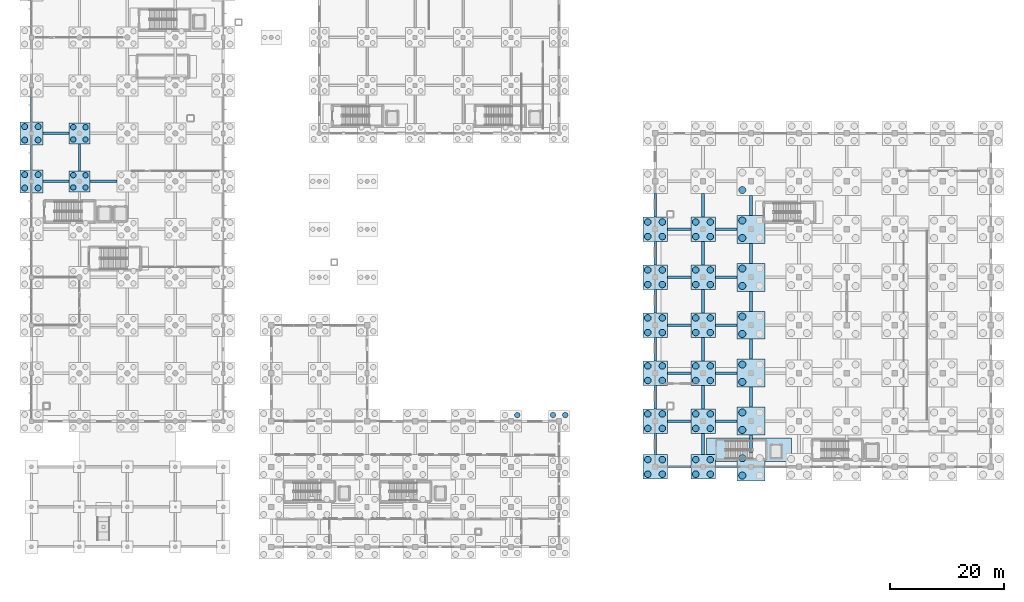
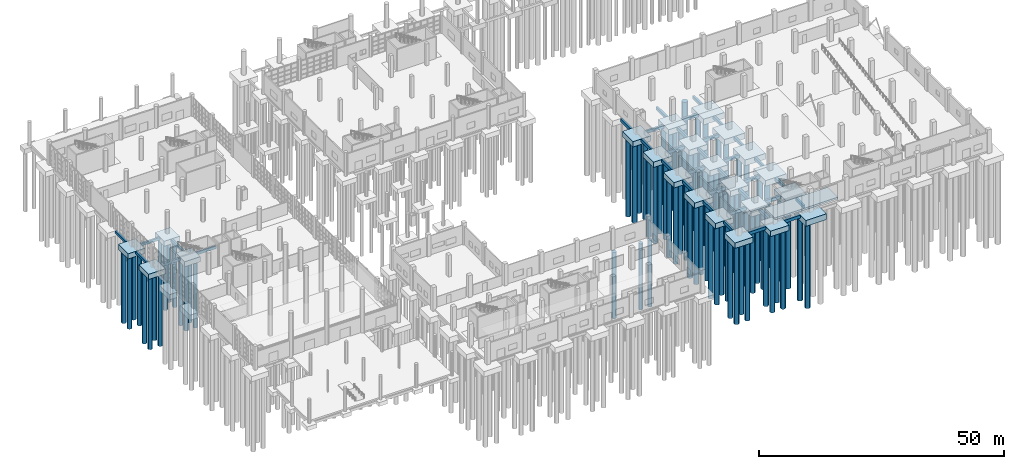
# One storey, part 4 of 83: 80 piles, 59 footings.
"""IFC4 building model written with IfcOpenShell, lengths in metres."""

from ifc_helpers import new_model, si_unit, direction, frame, origin, origin_2d, place, context, subcontext, project, spatial, rectangle, circle, extrude, material, material_profile, profile_set, type_object, element, save


model = new_model("IFC4")

# Units and contexts
model_context = context("Model", 3, precision=1e-05, world=origin(), true_north=direction((0.0, 1.0)))
body_context = subcontext(model_context, "Body", "Model", "MODEL_VIEW")
ifc_project = project(units=[si_unit("LENGTHUNIT", "METRE"), si_unit("AREAUNIT", "SQUARE_METRE"), si_unit("VOLUMEUNIT", "CUBIC_METRE"), si_unit("PLANEANGLEUNIT", "RADIAN"), si_unit("MASSUNIT", "GRAM", prefix="KILO"), si_unit("THERMODYNAMICTEMPERATUREUNIT", "KELVIN"), si_unit("POWERUNIT", "WATT")], contexts=[model_context])

# Site, building, storey
site_placement = place(None, origin())
site = spatial("IfcSite", under=ifc_project, at=site_placement, CompositionType="ELEMENT")
building_placement = place(site_placement, origin())
building = spatial("IfcBuilding", under=site, at=building_placement, Name="Mavoryth Pier Ferry Terminal", CompositionType="ELEMENT")
storey_placement = place(building_placement, origin())
storey = spatial("IfcBuildingStorey", under=building, at=storey_placement, Name="L00", CompositionType="ELEMENT", Elevation=0.0)

# Footings
ifc_material = material(Name="Concrete C35/45", Category="concrete")
footing_type_1 = type_object("IfcFootingType", Name="Cap-4P-3700x3700x1250", PredefinedType="PILE_CAP", material=ifc_material)
for number, where, z_axis, x_axis, name in (
    (1, (8.39990234375, 64.0, -1.7099609375), (0.0, 0.0, 1.0), (1.0, 0.0, 0.0), "Foundation FD-V1-2-6"),
    (2, (8.39990234375, 72.39990234375, -1.7099609375), (0.0, 0.0, 1.0), (1.0, 0.0, 0.0), "Foundation FD-V1-2-7"),
):
    element("IfcFooting", number, at=place(storey_placement, frame(where, z_axis=z_axis, x_axis=x_axis)), inside=storey, type_object=footing_type_1, Name=name, PredefinedType="PILE_CAP", context=body_context, shape_type="SweptSolid", body=[
        extrude(rectangle(XDim=3.699951171875, YDim=3.699951171875, at=origin_2d()), origin(), (0.0, 0.0, 1.0), 1.25),
    ])
footing_type_2 = type_object("IfcFootingType", Name="Cap-4P-4000x4000x1300", PredefinedType="PILE_CAP", material=ifc_material)
for number, where, z_axis, x_axis, name in (
    (3, (0.0, 64.0, -1.76025390625), (0.0, 0.0, 1.0), (1.0, 0.0, 0.0), "Foundation FD-V1-1-6"),
    (4, (0.0, 72.39990234375, -1.76025390625), (0.0, 0.0, 1.0), (1.0, 0.0, 0.0), "Foundation FD-V1-1-7"),
):
    element("IfcFooting", number, at=place(storey_placement, frame(where, z_axis=z_axis, x_axis=x_axis)), inside=storey, type_object=footing_type_2, Name=name, PredefinedType="PILE_CAP", context=body_context, shape_type="SweptSolid", body=[
        extrude(rectangle(XDim=4.0, YDim=4.0, at=origin_2d()), origin(), (0.0, 0.0, 1.0), 1.300048828125),
    ])
footing_type_3 = type_object("IfcFootingType", Name="Cap-4P-4300x4300x1350", PredefinedType="PILE_CAP", material=ifc_material)
for number, where, z_axis, x_axis, name in (
    (5, (109.199951171875, 14.0, -1.81005859375), (0.0, 0.0, 1.0), (1.0, 0.0, 0.0), "Foundation FD-V4-1-1"),
    (6, (109.199951171875, 22.0, -1.81005859375), (0.0, 0.0, 1.0), (1.0, 0.0, 0.0), "Foundation FD-V4-1-2"),
    (7, (109.199951171875, 30.39990234375, -1.81005859375), (0.0, 0.0, 1.0), (1.0, 0.0, 0.0), "Foundation FD-V4-1-3"),
    (8, (109.199951171875, 38.800048828125, -1.81005859375), (0.0, 0.0, 1.0), (1.0, 0.0, 0.0), "Foundation FD-V4-1-4"),
    (9, (109.199951171875, 47.199951171875, -1.81005859375), (0.0, 0.0, 1.0), (1.0, 0.0, 0.0), "Foundation FD-V4-1-5"),
    (10, (109.199951171875, 55.60009765625, -1.81005859375), (0.0, 0.0, 1.0), (1.0, 0.0, 0.0), "Foundation FD-V4-1-6"),
    (11, (117.60009765625, 14.0, -1.81005859375), (0.0, 0.0, 1.0), (1.0, 0.0, 0.0), "Foundation FD-V4-2-1"),
    (12, (117.60009765625, 22.0, -1.81005859375), (0.0, 0.0, 1.0), (1.0, 0.0, 0.0), "Foundation FD-V4-2-2"),
    (13, (117.60009765625, 30.39990234375, -1.81005859375), (0.0, 0.0, 1.0), (1.0, 0.0, 0.0), "Foundation FD-V4-2-3"),
    (14, (117.60009765625, 38.800048828125, -1.81005859375), (0.0, 0.0, 1.0), (1.0, 0.0, 0.0), "Foundation FD-V4-2-4"),
    (15, (117.60009765625, 47.199951171875, -1.81005859375), (0.0, 0.0, 1.0), (1.0, 0.0, 0.0), "Foundation FD-V4-2-5"),
    (16, (117.60009765625, 55.60009765625, -1.81005859375), (0.0, 0.0, 1.0), (1.0, 0.0, 0.0), "Foundation FD-V4-2-6"),
):
    element("IfcFooting", number, at=place(storey_placement, frame(where, z_axis=z_axis, x_axis=x_axis)), inside=storey, type_object=footing_type_3, Name=name, PredefinedType="PILE_CAP", context=body_context, shape_type="SweptSolid", body=[
        extrude(rectangle(XDim=4.300048828125, YDim=4.300048828125, at=origin_2d()), origin(), (0.0, 0.0, 1.0), 1.35009765625),
    ])
footing_type_4 = type_object("IfcFootingType", Name="Cap-4P-4900x4900x1450", PredefinedType="PILE_CAP", material=ifc_material)
for number, where, z_axis, x_axis, name in (
    (17, (126.0, 14.0, -1.91015625), (0.0, 0.0, 1.0), (1.0, 0.0, 0.0), "Foundation FD-V4-3-1"),
    (18, (126.0, 22.0, -1.91015625), (0.0, 0.0, 1.0), (1.0, 0.0, 0.0), "Foundation FD-V4-3-2"),
    (19, (126.0, 30.39990234375, -1.91015625), (0.0, 0.0, 1.0), (1.0, 0.0, 0.0), "Foundation FD-V4-3-3"),
    (20, (126.0, 38.800048828125, -1.91015625), (0.0, 0.0, 1.0), (1.0, 0.0, 0.0), "Foundation FD-V4-3-4"),
    (21, (126.0, 47.199951171875, -1.91015625), (0.0, 0.0, 1.0), (1.0, 0.0, 0.0), "Foundation FD-V4-3-5"),
    (22, (126.0, 55.60009765625, -1.91015625), (0.0, 0.0, 1.0), (1.0, 0.0, 0.0), "Foundation FD-V4-3-6"),
):
    element("IfcFooting", number, at=place(storey_placement, frame(where, z_axis=z_axis, x_axis=x_axis)), inside=storey, type_object=footing_type_4, Name=name, PredefinedType="PILE_CAP", context=body_context, shape_type="SweptSolid", body=[
        extrude(rectangle(XDim=4.89990234375, YDim=4.89990234375, at=origin_2d()), origin(), (0.0, 0.0, 1.0), 1.449951171875),
    ])
footing_type_5 = type_object("IfcFootingType", Name="Pad-CoreMat-14840x4100x460", PredefinedType="PAD_FOOTING", material=ifc_material)
footing_1_placement = place(storey_placement, frame((125.64990234375, 16.97509765625, -0.4599609375), z_axis=(0.0, 0.0, 1.0), x_axis=(1.0, 0.0, 0.0)))
element("IfcFooting", 23, at=footing_1_placement, inside=storey, type_object=footing_type_5, Name="Core Foundation Mat C4A", PredefinedType="PAD_FOOTING", context=body_context, shape_type="SweptSolid", body=[
    extrude(rectangle(XDim=14.840087890625, YDim=4.10009765625, at=origin_2d()), origin(), (0.0, 0.0, 1.0), 0.4599609375),
])

# Piles
ifc_material_profile_1 = material_profile(ifc_material, circle(Radius=0.52490234375, at=origin_2d()), Name="PILE D1050", Category="concrete")
ifc_profile_set_1 = profile_set([ifc_material_profile_1], Name="Concrete C35/45 - PILE D1050")
pile_type_1 = type_object("IfcPileType", Name="Pile-Bored-D1050", PredefinedType="BORED", material=ifc_profile_set_1)
for number, where, z_axis, x_axis, name in (
    (24, (-1.175048828125, 62.824951171875, -1.659912109375), (0.0, 0.0, -1.0), (1.0, 0.0, 0.0), "Bored Pile FD-V1-1-6-P1"),
    (25, (1.175048828125, 62.824951171875, -1.659912109375), (0.0, 0.0, -1.0), (1.0, 0.0, 0.0), "Bored Pile FD-V1-1-6-P2"),
    (26, (-1.175048828125, 65.175048828125, -1.659912109375), (0.0, 0.0, -1.0), (1.0, 0.0, 0.0), "Bored Pile FD-V1-1-6-P3"),
    (27, (1.175048828125, 65.175048828125, -1.659912109375), (0.0, 0.0, -1.0), (1.0, 0.0, 0.0), "Bored Pile FD-V1-1-6-P4"),
    (28, (-1.175048828125, 71.22509765625, -1.659912109375), (0.0, 0.0, -1.0), (1.0, 0.0, 0.0), "Bored Pile FD-V1-1-7-P1"),
    (29, (1.175048828125, 71.22509765625, -1.659912109375), (0.0, 0.0, -1.0), (1.0, 0.0, 0.0), "Bored Pile FD-V1-1-7-P2"),
    (30, (-1.175048828125, 73.574951171875, -1.659912109375), (0.0, 0.0, -1.0), (1.0, 0.0, 0.0), "Bored Pile FD-V1-1-7-P3"),
    (31, (1.175048828125, 73.574951171875, -1.659912109375), (0.0, 0.0, -1.0), (1.0, 0.0, 0.0), "Bored Pile FD-V1-1-7-P4"),
):
    element("IfcPile", number, at=place(storey_placement, frame(where, z_axis=z_axis, x_axis=x_axis)), inside=storey, type_object=pile_type_1, Name=name, PredefinedType="BORED", context=body_context, shape_type="SweptSolid", body=[
        extrude(circle(Radius=0.52490234375, at=origin_2d()), origin(), (0.0, 0.0, 1.0), 18.0),
    ])
ifc_material_profile_2 = material_profile(ifc_material, circle(Radius=0.574951171875, at=origin_2d()), Name="PILE D1150", Category="concrete")
ifc_profile_set_2 = profile_set([ifc_material_profile_2], Name="Concrete C35/45 - PILE D1150")
pile_type_2 = type_object("IfcPileType", Name="Pile-Bored-D1150", PredefinedType="BORED", material=ifc_profile_set_2)
for number, where, z_axis, x_axis, name in (
    (32, (107.925048828125, 12.72509765625, -1.7099609375), (0.0, 0.0, -1.0), (1.0, 0.0, 0.0), "Bored Pile FD-V4-1-1-P1"),
    (33, (110.47509765625, 12.72509765625, -1.7099609375), (0.0, 0.0, -1.0), (1.0, 0.0, 0.0), "Bored Pile FD-V4-1-1-P2"),
    (34, (107.925048828125, 15.27490234375, -1.7099609375), (0.0, 0.0, -1.0), (1.0, 0.0, 0.0), "Bored Pile FD-V4-1-1-P3"),
    (35, (110.47509765625, 15.27490234375, -1.7099609375), (0.0, 0.0, -1.0), (1.0, 0.0, 0.0), "Bored Pile FD-V4-1-1-P4"),
    (36, (107.925048828125, 20.72509765625, -1.7099609375), (0.0, 0.0, -1.0), (1.0, 0.0, 0.0), "Bored Pile FD-V4-1-2-P1"),
    (37, (110.47509765625, 20.72509765625, -1.7099609375), (0.0, 0.0, -1.0), (1.0, 0.0, 0.0), "Bored Pile FD-V4-1-2-P2"),
    (38, (107.925048828125, 23.27490234375, -1.7099609375), (0.0, 0.0, -1.0), (1.0, 0.0, 0.0), "Bored Pile FD-V4-1-2-P3"),
    (39, (110.47509765625, 23.27490234375, -1.7099609375), (0.0, 0.0, -1.0), (1.0, 0.0, 0.0), "Bored Pile FD-V4-1-2-P4"),
    (40, (107.925048828125, 29.125, -1.7099609375), (0.0, 0.0, -1.0), (1.0, 0.0, 0.0), "Bored Pile FD-V4-1-3-P1"),
    (41, (110.47509765625, 29.125, -1.7099609375), (0.0, 0.0, -1.0), (1.0, 0.0, 0.0), "Bored Pile FD-V4-1-3-P2"),
    (42, (107.925048828125, 31.675048828125, -1.7099609375), (0.0, 0.0, -1.0), (1.0, 0.0, 0.0), "Bored Pile FD-V4-1-3-P3"),
    (43, (110.47509765625, 31.675048828125, -1.7099609375), (0.0, 0.0, -1.0), (1.0, 0.0, 0.0), "Bored Pile FD-V4-1-3-P4"),
    (44, (107.925048828125, 37.52490234375, -1.7099609375), (0.0, 0.0, -1.0), (1.0, 0.0, 0.0), "Bored Pile FD-V4-1-4-P1"),
    (45, (110.47509765625, 37.52490234375, -1.7099609375), (0.0, 0.0, -1.0), (1.0, 0.0, 0.0), "Bored Pile FD-V4-1-4-P2"),
    (46, (107.925048828125, 40.074951171875, -1.7099609375), (0.0, 0.0, -1.0), (1.0, 0.0, 0.0), "Bored Pile FD-V4-1-4-P3"),
    (47, (110.47509765625, 40.074951171875, -1.7099609375), (0.0, 0.0, -1.0), (1.0, 0.0, 0.0), "Bored Pile FD-V4-1-4-P4"),
    (48, (107.925048828125, 45.925048828125, -1.7099609375), (0.0, 0.0, -1.0), (1.0, 0.0, 0.0), "Bored Pile FD-V4-1-5-P1"),
    (49, (110.47509765625, 45.925048828125, -1.7099609375), (0.0, 0.0, -1.0), (1.0, 0.0, 0.0), "Bored Pile FD-V4-1-5-P2"),
    (50, (107.925048828125, 48.47509765625, -1.7099609375), (0.0, 0.0, -1.0), (1.0, 0.0, 0.0), "Bored Pile FD-V4-1-5-P3"),
    (51, (110.47509765625, 48.47509765625, -1.7099609375), (0.0, 0.0, -1.0), (1.0, 0.0, 0.0), "Bored Pile FD-V4-1-5-P4"),
    (52, (107.925048828125, 54.324951171875, -1.7099609375), (0.0, 0.0, -1.0), (1.0, 0.0, 0.0), "Bored Pile FD-V4-1-6-P1"),
    (53, (110.47509765625, 54.324951171875, -1.7099609375), (0.0, 0.0, -1.0), (1.0, 0.0, 0.0), "Bored Pile FD-V4-1-6-P2"),
    (54, (107.925048828125, 56.875, -1.7099609375), (0.0, 0.0, -1.0), (1.0, 0.0, 0.0), "Bored Pile FD-V4-1-6-P3"),
    (55, (110.47509765625, 56.875, -1.7099609375), (0.0, 0.0, -1.0), (1.0, 0.0, 0.0), "Bored Pile FD-V4-1-6-P4"),
    (56, (116.324951171875, 12.72509765625, -1.7099609375), (0.0, 0.0, -1.0), (1.0, 0.0, 0.0), "Bored Pile FD-V4-2-1-P1"),
    (57, (118.875, 12.72509765625, -1.7099609375), (0.0, 0.0, -1.0), (1.0, 0.0, 0.0), "Bored Pile FD-V4-2-1-P2"),
    (58, (116.324951171875, 15.27490234375, -1.7099609375), (0.0, 0.0, -1.0), (1.0, 0.0, 0.0), "Bored Pile FD-V4-2-1-P3"),
    (59, (118.875, 15.27490234375, -1.7099609375), (0.0, 0.0, -1.0), (1.0, 0.0, 0.0), "Bored Pile FD-V4-2-1-P4"),
    (60, (116.324951171875, 20.72509765625, -1.7099609375), (0.0, 0.0, -1.0), (1.0, 0.0, 0.0), "Bored Pile FD-V4-2-2-P1"),
    (61, (118.875, 20.72509765625, -1.7099609375), (0.0, 0.0, -1.0), (1.0, 0.0, 0.0), "Bored Pile FD-V4-2-2-P2"),
    (62, (116.324951171875, 23.27490234375, -1.7099609375), (0.0, 0.0, -1.0), (1.0, 0.0, 0.0), "Bored Pile FD-V4-2-2-P3"),
    (63, (118.875, 23.27490234375, -1.7099609375), (0.0, 0.0, -1.0), (1.0, 0.0, 0.0), "Bored Pile FD-V4-2-2-P4"),
    (64, (116.324951171875, 29.125, -1.7099609375), (0.0, 0.0, -1.0), (1.0, 0.0, 0.0), "Bored Pile FD-V4-2-3-P1"),
    (65, (118.875, 29.125, -1.7099609375), (0.0, 0.0, -1.0), (1.0, 0.0, 0.0), "Bored Pile FD-V4-2-3-P2"),
    (66, (116.324951171875, 31.675048828125, -1.7099609375), (0.0, 0.0, -1.0), (1.0, 0.0, 0.0), "Bored Pile FD-V4-2-3-P3"),
    (67, (118.875, 31.675048828125, -1.7099609375), (0.0, 0.0, -1.0), (1.0, 0.0, 0.0), "Bored Pile FD-V4-2-3-P4"),
    (68, (116.324951171875, 37.52490234375, -1.7099609375), (0.0, 0.0, -1.0), (1.0, 0.0, 0.0), "Bored Pile FD-V4-2-4-P1"),
    (69, (118.875, 37.52490234375, -1.7099609375), (0.0, 0.0, -1.0), (1.0, 0.0, 0.0), "Bored Pile FD-V4-2-4-P2"),
    (70, (116.324951171875, 40.074951171875, -1.7099609375), (0.0, 0.0, -1.0), (1.0, 0.0, 0.0), "Bored Pile FD-V4-2-4-P3"),
    (71, (118.875, 40.074951171875, -1.7099609375), (0.0, 0.0, -1.0), (1.0, 0.0, 0.0), "Bored Pile FD-V4-2-4-P4"),
    (72, (116.324951171875, 45.925048828125, -1.7099609375), (0.0, 0.0, -1.0), (1.0, 0.0, 0.0), "Bored Pile FD-V4-2-5-P1"),
    (73, (118.875, 45.925048828125, -1.7099609375), (0.0, 0.0, -1.0), (1.0, 0.0, 0.0), "Bored Pile FD-V4-2-5-P2"),
    (74, (116.324951171875, 48.47509765625, -1.7099609375), (0.0, 0.0, -1.0), (1.0, 0.0, 0.0), "Bored Pile FD-V4-2-5-P3"),
    (75, (118.875, 48.47509765625, -1.7099609375), (0.0, 0.0, -1.0), (1.0, 0.0, 0.0), "Bored Pile FD-V4-2-5-P4"),
    (76, (116.324951171875, 54.324951171875, -1.7099609375), (0.0, 0.0, -1.0), (1.0, 0.0, 0.0), "Bored Pile FD-V4-2-6-P1"),
    (77, (118.875, 54.324951171875, -1.7099609375), (0.0, 0.0, -1.0), (1.0, 0.0, 0.0), "Bored Pile FD-V4-2-6-P2"),
    (78, (116.324951171875, 56.875, -1.7099609375), (0.0, 0.0, -1.0), (1.0, 0.0, 0.0), "Bored Pile FD-V4-2-6-P3"),
    (79, (118.875, 56.875, -1.7099609375), (0.0, 0.0, -1.0), (1.0, 0.0, 0.0), "Bored Pile FD-V4-2-6-P4"),
):
    element("IfcPile", number, at=place(storey_placement, frame(where, z_axis=z_axis, x_axis=x_axis)), inside=storey, type_object=pile_type_2, Name=name, PredefinedType="BORED", context=body_context, shape_type="SweptSolid", body=[
        extrude(circle(Radius=0.574951171875, at=origin_2d()), origin(), (0.0, 0.0, 1.0), 19.5),
    ])
ifc_material_profile_3 = material_profile(ifc_material, circle(Radius=0.625, at=origin_2d()), Name="PILE D1250", Category="concrete")
ifc_profile_set_3 = profile_set([ifc_material_profile_3], Name="Concrete C35/45 - PILE D1250")
pile_type_3 = type_object("IfcPileType", Name="Pile-Bored-D1250", PredefinedType="BORED", material=ifc_profile_set_3)
for number, where, z_axis, x_axis, name in (
    (80, (124.47509765625, 12.47509765625, -1.81005859375), (0.0, 0.0, -1.0), (1.0, 0.0, 0.0), "Bored Pile FD-V4-3-1-P1"),
    (81, (124.47509765625, 15.52490234375, -1.81005859375), (0.0, 0.0, -1.0), (1.0, 0.0, 0.0), "Bored Pile FD-V4-3-1-P3"),
    (82, (124.47509765625, 20.47509765625, -1.81005859375), (0.0, 0.0, -1.0), (1.0, 0.0, 0.0), "Bored Pile FD-V4-3-2-P1"),
    (83, (124.47509765625, 23.52490234375, -1.81005859375), (0.0, 0.0, -1.0), (1.0, 0.0, 0.0), "Bored Pile FD-V4-3-2-P3"),
    (84, (124.47509765625, 28.875, -1.81005859375), (0.0, 0.0, -1.0), (1.0, 0.0, 0.0), "Bored Pile FD-V4-3-3-P1"),
    (85, (124.47509765625, 31.925048828125, -1.81005859375), (0.0, 0.0, -1.0), (1.0, 0.0, 0.0), "Bored Pile FD-V4-3-3-P3"),
    (86, (124.47509765625, 37.27490234375, -1.81005859375), (0.0, 0.0, -1.0), (1.0, 0.0, 0.0), "Bored Pile FD-V4-3-4-P1"),
    (87, (124.47509765625, 40.324951171875, -1.81005859375), (0.0, 0.0, -1.0), (1.0, 0.0, 0.0), "Bored Pile FD-V4-3-4-P3"),
    (88, (124.47509765625, 45.675048828125, -1.81005859375), (0.0, 0.0, -1.0), (1.0, 0.0, 0.0), "Bored Pile FD-V4-3-5-P1"),
    (89, (124.47509765625, 48.72509765625, -1.81005859375), (0.0, 0.0, -1.0), (1.0, 0.0, 0.0), "Bored Pile FD-V4-3-5-P3"),
    (90, (124.47509765625, 54.074951171875, -1.81005859375), (0.0, 0.0, -1.0), (1.0, 0.0, 0.0), "Bored Pile FD-V4-3-6-P1"),
    (91, (124.47509765625, 57.125, -1.81005859375), (0.0, 0.0, -1.0), (1.0, 0.0, 0.0), "Bored Pile FD-V4-3-6-P3"),
    (92, (124.47509765625, 62.47509765625, -1.81005859375), (0.0, 0.0, -1.0), (1.0, 0.0, 0.0), "Bored Pile FD-V4-3-7-P1"),
):
    element("IfcPile", number, at=place(storey_placement, frame(where, z_axis=z_axis, x_axis=x_axis)), inside=storey, type_object=pile_type_3, Name=name, PredefinedType="BORED", context=body_context, shape_type="SweptSolid", body=[
        extrude(circle(Radius=0.625, at=origin_2d()), origin(), (0.0, 0.0, 1.0), 21.0),
    ])
ifc_material_profile_4 = material_profile(ifc_material, circle(Radius=0.47509765625, at=origin_2d()), Name="PILE D950", Category="concrete")
ifc_profile_set_4 = profile_set([ifc_material_profile_4], Name="Concrete C35/45 - PILE D950")
pile_type_4 = type_object("IfcPileType", Name="Pile-Bored-D950", PredefinedType="BORED", material=ifc_profile_set_4)
for number, where, z_axis, x_axis, name in (
    (93, (7.324951171875, 62.925048828125, -1.610107421875), (0.0, 0.0, -1.0), (1.0, 0.0, 0.0), "Bored Pile FD-V1-2-6-P1"),
    (94, (9.47509765625, 62.925048828125, -1.610107421875), (0.0, 0.0, -1.0), (1.0, 0.0, 0.0), "Bored Pile FD-V1-2-6-P2"),
    (95, (7.324951171875, 65.074951171875, -1.610107421875), (0.0, 0.0, -1.0), (1.0, 0.0, 0.0), "Bored Pile FD-V1-2-6-P3"),
    (96, (9.47509765625, 65.074951171875, -1.610107421875), (0.0, 0.0, -1.0), (1.0, 0.0, 0.0), "Bored Pile FD-V1-2-6-P4"),
    (97, (7.324951171875, 71.324951171875, -1.610107421875), (0.0, 0.0, -1.0), (1.0, 0.0, 0.0), "Bored Pile FD-V1-2-7-P1"),
    (98, (9.47509765625, 71.324951171875, -1.610107421875), (0.0, 0.0, -1.0), (1.0, 0.0, 0.0), "Bored Pile FD-V1-2-7-P2"),
    (99, (7.324951171875, 73.47509765625, -1.610107421875), (0.0, 0.0, -1.0), (1.0, 0.0, 0.0), "Bored Pile FD-V1-2-7-P3"),
    (100, (9.47509765625, 73.47509765625, -1.610107421875), (0.0, 0.0, -1.0), (1.0, 0.0, 0.0), "Bored Pile FD-V1-2-7-P4"),
    (101, (85.074951171875, 23.074951171875, -1.610107421875), (0.0, 0.0, -1.0), (1.0, 0.0, 0.0), "Bored Pile FD-V5-24-P4"),
    (102, (91.324951171875, 23.074951171875, -1.610107421875), (0.0, 0.0, -1.0), (1.0, 0.0, 0.0), "Bored Pile FD-V5-28-P3"),
    (103, (93.47509765625, 23.074951171875, -1.610107421875), (0.0, 0.0, -1.0), (1.0, 0.0, 0.0), "Bored Pile FD-V5-28-P4"),
):
    element("IfcPile", number, at=place(storey_placement, frame(where, z_axis=z_axis, x_axis=x_axis)), inside=storey, type_object=pile_type_4, Name=name, PredefinedType="BORED", context=body_context, shape_type="SweptSolid", body=[
        extrude(circle(Radius=0.47509765625, at=origin_2d()), origin(), (0.0, 0.0, 1.0), 16.5),
    ])

# Footings
ifc_material_profile_5 = material_profile(ifc_material, rectangle(XDim=0.39990234375, YDim=0.64990234375, at=origin_2d()), Name="RC 400x650", Category="concrete")
ifc_profile_set_5 = profile_set([ifc_material_profile_5], Name="Concrete C35/45 - RC 400x650")
footing_type_6 = type_object("IfcFootingType", Name="TieBeam-RC-400x650", PredefinedType="FOOTING_BEAM", material=ifc_profile_set_5)
footing_2_placement = place(storey_placement, frame((2.0, 64.0, -0.784912109375), z_axis=(1.0, 0.0, 0.0), x_axis=(0.0, 1.0, 0.0)))
element("IfcFooting", 104, at=footing_2_placement, inside=storey, type_object=footing_type_6, Name="Footing Tie Beam 43", PredefinedType="FOOTING_BEAM", context=body_context, shape_type="SweptSolid", body=[
    extrude(rectangle(XDim=0.39990234375, YDim=0.64990234375, at=origin_2d()), origin(), (0.0, 0.0, 1.0), 4.550048828125),
])
footing_3_placement = place(storey_placement, frame((10.25, 64.0, -0.784912109375), z_axis=(1.0, 0.0, 0.0), x_axis=(0.0, 1.0, 0.0)))
element("IfcFooting", 105, at=footing_3_placement, inside=storey, type_object=footing_type_6, Name="Footing Tie Beam 44", PredefinedType="FOOTING_BEAM", context=body_context, shape_type="SweptSolid", body=[
    extrude(rectangle(XDim=0.39990234375, YDim=0.64990234375, at=origin_2d()), origin(), (0.0, 0.0, 1.0), 4.699951171875),
])
footing_4_placement = place(storey_placement, frame((2.0, 72.39990234375, -0.784912109375), z_axis=(1.0, 0.0, 0.0), x_axis=(0.0, 1.0, 0.0)))
element("IfcFooting", 106, at=footing_4_placement, inside=storey, type_object=footing_type_6, Name="Footing Tie Beam 47", PredefinedType="FOOTING_BEAM", context=body_context, shape_type="SweptSolid", body=[
    extrude(rectangle(XDim=0.39990234375, YDim=0.64990234375, at=origin_2d()), origin(), (0.0, 0.0, 1.0), 4.550048828125),
])
footing_5_placement = place(storey_placement, frame((0.0, 66.0, -0.784912109375), z_axis=(0.0, 1.0, 0.0), x_axis=(-1.0, 0.0, 0.0)))
element("IfcFooting", 107, at=footing_5_placement, inside=storey, type_object=footing_type_6, Name="Footing Tie Beam 76", PredefinedType="FOOTING_BEAM", context=body_context, shape_type="SweptSolid", body=[
    extrude(rectangle(XDim=0.39990234375, YDim=0.64990234375, at=origin_2d()), origin(), (0.0, 0.0, 1.0), 4.39990234375),
])
footing_6_placement = place(storey_placement, frame((0.0, 74.39990234375, -0.784912109375), z_axis=(0.0, 1.0, 0.0), x_axis=(-1.0, 0.0, 0.0)))
element("IfcFooting", 108, at=footing_6_placement, inside=storey, type_object=footing_type_6, Name="Footing Tie Beam 77", PredefinedType="FOOTING_BEAM", context=body_context, shape_type="SweptSolid", body=[
    extrude(rectangle(XDim=0.39990234375, YDim=0.64990234375, at=origin_2d()), origin(), (0.0, 0.0, 1.0), 4.400146484375),
])
footing_7_placement = place(storey_placement, frame((8.39990234375, 65.85009765625, -0.784912109375), z_axis=(0.0, 1.0, 0.0), x_axis=(-1.0, 0.0, 0.0)))
element("IfcFooting", 109, at=footing_7_placement, inside=storey, type_object=footing_type_6, Name="Footing Tie Beam 87", PredefinedType="FOOTING_BEAM", context=body_context, shape_type="SweptSolid", body=[
    extrude(rectangle(XDim=0.39990234375, YDim=0.64990234375, at=origin_2d()), origin(), (0.0, 0.0, 1.0), 4.699951171875),
])
ifc_material_profile_6 = material_profile(ifc_material, rectangle(XDim=0.449951171875, YDim=0.75, at=origin_2d()), Name="RC 450x750", Category="concrete")
ifc_profile_set_6 = profile_set([ifc_material_profile_6], Name="Concrete C35/45 - RC 450x750")
footing_type_7 = type_object("IfcFootingType", Name="TieBeam-RC-450x750", PredefinedType="FOOTING_BEAM", material=ifc_profile_set_6)
footing_8_placement = place(storey_placement, frame((111.35009765625, 14.0, -0.8349609375), z_axis=(1.0, 0.0, 0.0), x_axis=(0.0, 1.0, 0.0)))
element("IfcFooting", 110, at=footing_8_placement, inside=storey, type_object=footing_type_7, Name="Footing Tie Beam 207", PredefinedType="FOOTING_BEAM", context=body_context, shape_type="SweptSolid", body=[
    extrude(rectangle(XDim=0.449951171875, YDim=0.75, at=origin_2d()), origin(), (0.0, 0.0, 1.0), 4.099853515625),
])
footing_9_placement = place(storey_placement, frame((119.75, 14.0, -0.8349609375), z_axis=(1.0, 0.0, 0.0), x_axis=(0.0, 1.0, 0.0)))
element("IfcFooting", 111, at=footing_9_placement, inside=storey, type_object=footing_type_7, Name="Footing Tie Beam 208", PredefinedType="FOOTING_BEAM", context=body_context, shape_type="SweptSolid", body=[
    extrude(rectangle(XDim=0.449951171875, YDim=0.75, at=origin_2d()), origin(), (0.0, 0.0, 1.0), 3.800048828125),
])
footing_10_placement = place(storey_placement, frame((111.35009765625, 22.0, -0.8349609375), z_axis=(1.0, 0.0, 0.0), x_axis=(0.0, 1.0, 0.0)))
element("IfcFooting", 112, at=footing_10_placement, inside=storey, type_object=footing_type_7, Name="Footing Tie Beam 214", PredefinedType="FOOTING_BEAM", context=body_context, shape_type="SweptSolid", body=[
    extrude(rectangle(XDim=0.449951171875, YDim=0.75, at=origin_2d()), origin(), (0.0, 0.0, 1.0), 4.099853515625),
])
footing_11_placement = place(storey_placement, frame((119.75, 22.0, -0.8349609375), z_axis=(1.0, 0.0, 0.0), x_axis=(0.0, 1.0, 0.0)))
element("IfcFooting", 113, at=footing_11_placement, inside=storey, type_object=footing_type_7, Name="Footing Tie Beam 215", PredefinedType="FOOTING_BEAM", context=body_context, shape_type="SweptSolid", body=[
    extrude(rectangle(XDim=0.449951171875, YDim=0.75, at=origin_2d()), origin(), (0.0, 0.0, 1.0), 3.800048828125),
])
footing_12_placement = place(storey_placement, frame((111.35009765625, 30.39990234375, -0.8349609375), z_axis=(1.0, 0.0, 0.0), x_axis=(0.0, 1.0, 0.0)))
element("IfcFooting", 114, at=footing_12_placement, inside=storey, type_object=footing_type_7, Name="Footing Tie Beam 221", PredefinedType="FOOTING_BEAM", context=body_context, shape_type="SweptSolid", body=[
    extrude(rectangle(XDim=0.449951171875, YDim=0.75, at=origin_2d()), origin(), (0.0, 0.0, 1.0), 4.099853515625),
])
footing_13_placement = place(storey_placement, frame((119.75, 30.39990234375, -0.8349609375), z_axis=(1.0, 0.0, 0.0), x_axis=(0.0, 1.0, 0.0)))
element("IfcFooting", 115, at=footing_13_placement, inside=storey, type_object=footing_type_7, Name="Footing Tie Beam 222", PredefinedType="FOOTING_BEAM", context=body_context, shape_type="SweptSolid", body=[
    extrude(rectangle(XDim=0.449951171875, YDim=0.75, at=origin_2d()), origin(), (0.0, 0.0, 1.0), 3.800048828125),
])
footing_14_placement = place(storey_placement, frame((111.35009765625, 38.800048828125, -0.8349609375), z_axis=(1.0, 0.0, 0.0), x_axis=(0.0, 1.0, 0.0)))
element("IfcFooting", 116, at=footing_14_placement, inside=storey, type_object=footing_type_7, Name="Footing Tie Beam 228", PredefinedType="FOOTING_BEAM", context=body_context, shape_type="SweptSolid", body=[
    extrude(rectangle(XDim=0.449951171875, YDim=0.75, at=origin_2d()), origin(), (0.0, 0.0, 1.0), 4.099853515625),
])
footing_15_placement = place(storey_placement, frame((119.75, 38.800048828125, -0.8349609375), z_axis=(1.0, 0.0, 0.0), x_axis=(0.0, 1.0, 0.0)))
element("IfcFooting", 117, at=footing_15_placement, inside=storey, type_object=footing_type_7, Name="Footing Tie Beam 229", PredefinedType="FOOTING_BEAM", context=body_context, shape_type="SweptSolid", body=[
    extrude(rectangle(XDim=0.449951171875, YDim=0.75, at=origin_2d()), origin(), (0.0, 0.0, 1.0), 3.800048828125),
])
footing_16_placement = place(storey_placement, frame((111.35009765625, 47.199951171875, -0.8349609375), z_axis=(1.0, 0.0, 0.0), x_axis=(0.0, 1.0, 0.0)))
element("IfcFooting", 118, at=footing_16_placement, inside=storey, type_object=footing_type_7, Name="Footing Tie Beam 235", PredefinedType="FOOTING_BEAM", context=body_context, shape_type="SweptSolid", body=[
    extrude(rectangle(XDim=0.449951171875, YDim=0.75, at=origin_2d()), origin(), (0.0, 0.0, 1.0), 4.099853515625),
])
footing_17_placement = place(storey_placement, frame((119.75, 47.199951171875, -0.8349609375), z_axis=(1.0, 0.0, 0.0), x_axis=(0.0, 1.0, 0.0)))
element("IfcFooting", 119, at=footing_17_placement, inside=storey, type_object=footing_type_7, Name="Footing Tie Beam 236", PredefinedType="FOOTING_BEAM", context=body_context, shape_type="SweptSolid", body=[
    extrude(rectangle(XDim=0.449951171875, YDim=0.75, at=origin_2d()), origin(), (0.0, 0.0, 1.0), 3.800048828125),
])
footing_18_placement = place(storey_placement, frame((111.35009765625, 55.60009765625, -0.8349609375), z_axis=(1.0, 0.0, 0.0), x_axis=(0.0, 1.0, 0.0)))
element("IfcFooting", 120, at=footing_18_placement, inside=storey, type_object=footing_type_7, Name="Footing Tie Beam 242", PredefinedType="FOOTING_BEAM", context=body_context, shape_type="SweptSolid", body=[
    extrude(rectangle(XDim=0.449951171875, YDim=0.75, at=origin_2d()), origin(), (0.0, 0.0, 1.0), 4.099853515625),
])
footing_19_placement = place(storey_placement, frame((119.75, 55.60009765625, -0.8349609375), z_axis=(1.0, 0.0, 0.0), x_axis=(0.0, 1.0, 0.0)))
element("IfcFooting", 121, at=footing_19_placement, inside=storey, type_object=footing_type_7, Name="Footing Tie Beam 243", PredefinedType="FOOTING_BEAM", context=body_context, shape_type="SweptSolid", body=[
    extrude(rectangle(XDim=0.449951171875, YDim=0.75, at=origin_2d()), origin(), (0.0, 0.0, 1.0), 3.800048828125),
])
footing_20_placement = place(storey_placement, frame((109.199951171875, 16.14990234375, -0.8349609375), z_axis=(0.0, 1.0, 0.0), x_axis=(-1.0, 0.0, 0.0)))
element("IfcFooting", 122, at=footing_20_placement, inside=storey, type_object=footing_type_7, Name="Footing Tie Beam 263", PredefinedType="FOOTING_BEAM", context=body_context, shape_type="SweptSolid", body=[
    extrude(rectangle(XDim=0.449951171875, YDim=0.75, at=origin_2d()), origin(), (0.0, 0.0, 1.0), 3.7001953125),
])
footing_21_placement = place(storey_placement, frame((109.199951171875, 24.14990234375, -0.8349609375), z_axis=(0.0, 1.0, 0.0), x_axis=(-1.0, 0.0, 0.0)))
element("IfcFooting", 123, at=footing_21_placement, inside=storey, type_object=footing_type_7, Name="Footing Tie Beam 264", PredefinedType="FOOTING_BEAM", context=body_context, shape_type="SweptSolid", body=[
    extrude(rectangle(XDim=0.449951171875, YDim=0.75, at=origin_2d()), origin(), (0.0, 0.0, 1.0), 4.10009765625),
])
footing_22_placement = place(storey_placement, frame((109.199951171875, 32.550048828125, -0.8349609375), z_axis=(0.0, 1.0, 0.0), x_axis=(-1.0, 0.0, 0.0)))
element("IfcFooting", 124, at=footing_22_placement, inside=storey, type_object=footing_type_7, Name="Footing Tie Beam 265", PredefinedType="FOOTING_BEAM", context=body_context, shape_type="SweptSolid", body=[
    extrude(rectangle(XDim=0.449951171875, YDim=0.75, at=origin_2d()), origin(), (0.0, 0.0, 1.0), 4.099853515625),
])
footing_23_placement = place(storey_placement, frame((109.199951171875, 40.949951171875, -0.8349609375), z_axis=(0.0, 1.0, 0.0), x_axis=(-1.0, 0.0, 0.0)))
element("IfcFooting", 125, at=footing_23_placement, inside=storey, type_object=footing_type_7, Name="Footing Tie Beam 266", PredefinedType="FOOTING_BEAM", context=body_context, shape_type="SweptSolid", body=[
    extrude(rectangle(XDim=0.449951171875, YDim=0.75, at=origin_2d()), origin(), (0.0, 0.0, 1.0), 4.10009765625),
])
footing_24_placement = place(storey_placement, frame((109.199951171875, 49.35009765625, -0.8349609375), z_axis=(0.0, 1.0, 0.0), x_axis=(-1.0, 0.0, 0.0)))
element("IfcFooting", 126, at=footing_24_placement, inside=storey, type_object=footing_type_7, Name="Footing Tie Beam 267", PredefinedType="FOOTING_BEAM", context=body_context, shape_type="SweptSolid", body=[
    extrude(rectangle(XDim=0.449951171875, YDim=0.75, at=origin_2d()), origin(), (0.0, 0.0, 1.0), 4.099853515625),
])
footing_25_placement = place(storey_placement, frame((109.199951171875, 57.75, -0.8349609375), z_axis=(0.0, 1.0, 0.0), x_axis=(-1.0, 0.0, 0.0)))
element("IfcFooting", 127, at=footing_25_placement, inside=storey, type_object=footing_type_7, Name="Footing Tie Beam 268", PredefinedType="FOOTING_BEAM", context=body_context, shape_type="SweptSolid", body=[
    extrude(rectangle(XDim=0.449951171875, YDim=0.75, at=origin_2d()), origin(), (0.0, 0.0, 1.0), 4.10009765625),
])
footing_26_placement = place(storey_placement, frame((117.60009765625, 16.14990234375, -0.8349609375), z_axis=(0.0, 1.0, 0.0), x_axis=(-1.0, 0.0, 0.0)))
element("IfcFooting", 128, at=footing_26_placement, inside=storey, type_object=footing_type_7, Name="Footing Tie Beam 270", PredefinedType="FOOTING_BEAM", context=body_context, shape_type="SweptSolid", body=[
    extrude(rectangle(XDim=0.449951171875, YDim=0.75, at=origin_2d()), origin(), (0.0, 0.0, 1.0), 3.7001953125),
])
footing_27_placement = place(storey_placement, frame((117.60009765625, 24.14990234375, -0.8349609375), z_axis=(0.0, 1.0, 0.0), x_axis=(-1.0, 0.0, 0.0)))
element("IfcFooting", 129, at=footing_27_placement, inside=storey, type_object=footing_type_7, Name="Footing Tie Beam 271", PredefinedType="FOOTING_BEAM", context=body_context, shape_type="SweptSolid", body=[
    extrude(rectangle(XDim=0.449951171875, YDim=0.75, at=origin_2d()), origin(), (0.0, 0.0, 1.0), 4.10009765625),
])
footing_28_placement = place(storey_placement, frame((117.60009765625, 32.550048828125, -0.8349609375), z_axis=(0.0, 1.0, 0.0), x_axis=(-1.0, 0.0, 0.0)))
element("IfcFooting", 130, at=footing_28_placement, inside=storey, type_object=footing_type_7, Name="Footing Tie Beam 272", PredefinedType="FOOTING_BEAM", context=body_context, shape_type="SweptSolid", body=[
    extrude(rectangle(XDim=0.449951171875, YDim=0.75, at=origin_2d()), origin(), (0.0, 0.0, 1.0), 4.099853515625),
])
footing_29_placement = place(storey_placement, frame((117.60009765625, 40.949951171875, -0.8349609375), z_axis=(0.0, 1.0, 0.0), x_axis=(-1.0, 0.0, 0.0)))
element("IfcFooting", 131, at=footing_29_placement, inside=storey, type_object=footing_type_7, Name="Footing Tie Beam 273", PredefinedType="FOOTING_BEAM", context=body_context, shape_type="SweptSolid", body=[
    extrude(rectangle(XDim=0.449951171875, YDim=0.75, at=origin_2d()), origin(), (0.0, 0.0, 1.0), 4.10009765625),
])
footing_30_placement = place(storey_placement, frame((117.60009765625, 49.35009765625, -0.8349609375), z_axis=(0.0, 1.0, 0.0), x_axis=(-1.0, 0.0, 0.0)))
element("IfcFooting", 132, at=footing_30_placement, inside=storey, type_object=footing_type_7, Name="Footing Tie Beam 274", PredefinedType="FOOTING_BEAM", context=body_context, shape_type="SweptSolid", body=[
    extrude(rectangle(XDim=0.449951171875, YDim=0.75, at=origin_2d()), origin(), (0.0, 0.0, 1.0), 4.099853515625),
])
footing_31_placement = place(storey_placement, frame((117.60009765625, 57.75, -0.8349609375), z_axis=(0.0, 1.0, 0.0), x_axis=(-1.0, 0.0, 0.0)))
element("IfcFooting", 133, at=footing_31_placement, inside=storey, type_object=footing_type_7, Name="Footing Tie Beam 275", PredefinedType="FOOTING_BEAM", context=body_context, shape_type="SweptSolid", body=[
    extrude(rectangle(XDim=0.449951171875, YDim=0.75, at=origin_2d()), origin(), (0.0, 0.0, 1.0), 4.10009765625),
])
footing_32_placement = place(storey_placement, frame((126.0, 16.449951171875, -0.8349609375), z_axis=(0.0, 1.0, 0.0), x_axis=(-1.0, 0.0, 0.0)))
element("IfcFooting", 134, at=footing_32_placement, inside=storey, type_object=footing_type_7, Name="Footing Tie Beam 277", PredefinedType="FOOTING_BEAM", context=body_context, shape_type="SweptSolid", body=[
    extrude(rectangle(XDim=0.449951171875, YDim=0.75, at=origin_2d()), origin(), (0.0, 0.0, 1.0), 3.10009765625),
])
for number, where, z_axis, x_axis, name in (
    (135, (126.0, 24.449951171875, -0.8349609375), (0.0, 1.0, 0.0), (-1.0, 0.0, 0.0), "Footing Tie Beam 278"),
    (136, (126.0, 32.85009765625, -0.8349609375), (0.0, 1.0, 0.0), (-1.0, 0.0, 0.0), "Footing Tie Beam 279"),
    (137, (126.0, 41.25, -0.8349609375), (0.0, 1.0, 0.0), (-1.0, 0.0, 0.0), "Footing Tie Beam 280"),
    (138, (126.0, 49.64990234375, -0.8349609375), (0.0, 1.0, 0.0), (-1.0, 0.0, 0.0), "Footing Tie Beam 281"),
    (139, (126.0, 58.050048828125, -0.8349609375), (0.0, 1.0, 0.0), (-1.0, 0.0, 0.0), "Footing Tie Beam 282"),
):
    element("IfcFooting", number, at=place(storey_placement, frame(where, z_axis=z_axis, x_axis=x_axis)), inside=storey, type_object=footing_type_7, Name=name, PredefinedType="FOOTING_BEAM", context=body_context, shape_type="SweptSolid", body=[
        extrude(rectangle(XDim=0.449951171875, YDim=0.75, at=origin_2d()), origin(), (0.0, 0.0, 1.0), 3.5),
    ])

save(model, "model.ifc")
